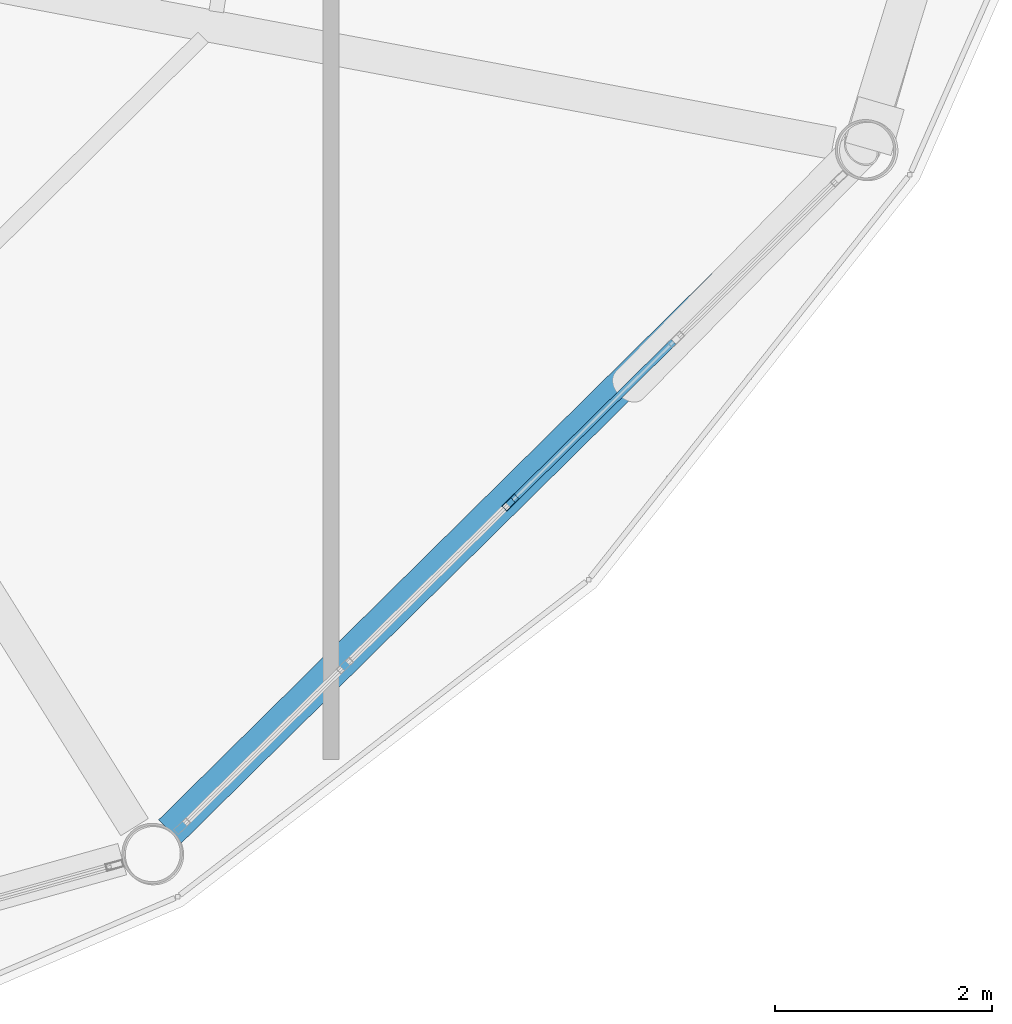
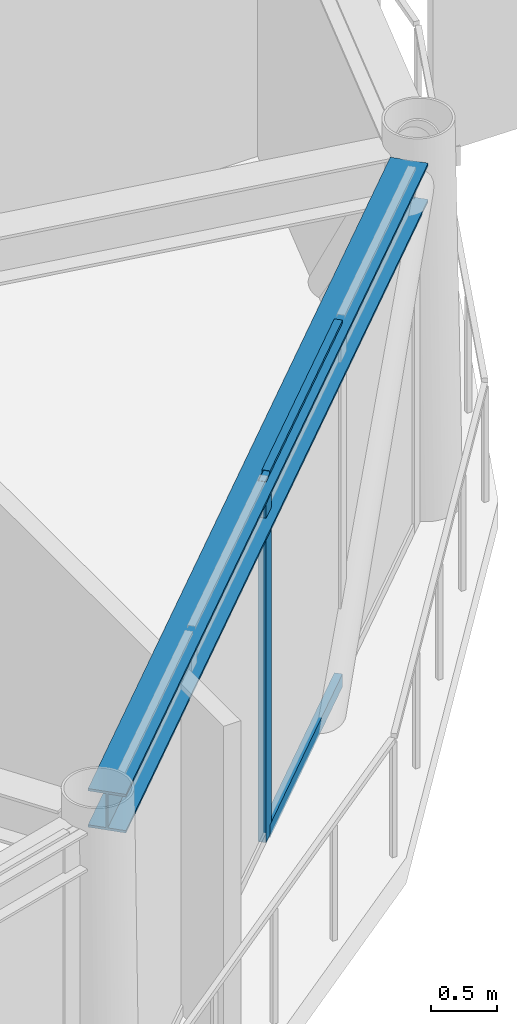
# One storey, part 9 of 26: 3 members, 1 beam, 1 element without a shape of its own.
"""IFC4 building model written with IfcOpenShell, lengths in metres."""

from ifc_helpers import new_model, si_unit, direction, frame, origin, origin_2d, place, context, subcontext, project, spatial, hollow_rectangle, i_section, extrude, material, layer, layer_set, material_profile, profile_set, type_object, element, aggregate, save


model = new_model("IFC4")

# Units and contexts
model_context = context("Model", 3, precision=1e-05, world=origin(), true_north=direction((0.0, 1.0)))
body_context = subcontext(model_context, "Body", "Model", "MODEL_VIEW")
ifc_project = project(units=[si_unit("LENGTHUNIT", "METRE"), si_unit("AREAUNIT", "SQUARE_METRE"), si_unit("VOLUMEUNIT", "CUBIC_METRE"), si_unit("PLANEANGLEUNIT", "RADIAN"), si_unit("MASSUNIT", "GRAM", prefix="KILO")], contexts=[model_context])

# Site, building, storey
site_placement = place(None, origin())
site = spatial("IfcSite", under=ifc_project, at=site_placement, CompositionType="ELEMENT")
building_placement = place(site_placement, origin())
building = spatial("IfcBuilding", under=site, at=building_placement, Name="Varnakorn Sky Granary", CompositionType="ELEMENT")
storey_placement = place(building_placement, frame((0.0, 0.0, 267.0)))
storey = spatial("IfcBuildingStorey", under=building, at=storey_placement, Name="L68", CompositionType="ELEMENT", Elevation=267.0)

# Beam
ifc_material_1 = material(Name="Steel S355JR", Category="steel")
ifc_material_profile_1 = material_profile(ifc_material_1, i_section(OverallWidth=0.300048828125, OverallDepth=0.360107421875, WebThickness=0.012451171875, FlangeThickness=0.0224609375, at=origin_2d()), Name="HE 360 B")
ifc_profile_set_1 = profile_set([ifc_material_profile_1], Name="Steel S355JR")
beam_type = type_object("IfcBeamType", Name="BM-SPD-Z5", PredefinedType="SPANDREL", material=ifc_profile_set_1)
beam_placement = place(storey_placement, frame((14.01513671875, -15.172119140625, 3.179931640625), z_axis=(0.71146702689, 0.702719481478, 0.0), x_axis=(-0.702719481478, 0.71146702689, 0.0)))
element("IfcBeam", 1, at=beam_placement, inside=storey, type_object=beam_type, Name="Perimeter Spandrel Ring Beam RB11 L68", PredefinedType="SPANDREL", context=body_context, shape_type="SweptSolid", body=[
    extrude(i_section(OverallWidth=0.300048828125, OverallDepth=0.360107421875, WebThickness=0.012451171875, FlangeThickness=0.0224609375, at=origin_2d()), origin(), (0.0, 0.0, 1.0), 8.707763671875),
])

# Curtain wall, members
ifc_material_2 = material(Name="Anodised Bronze Aluminium Alloy 6063-T6", Category="aluminium")
ifc_layer = layer(ifc_material_2, 0.159912109375, Name="Anodised Bronze Aluminium Alloy 6063-T6")
ifc_layer_set = layer_set([ifc_layer], Name="Anodised Bronze Aluminium Alloy 6063-T6")
curtain_wall_type = type_object("IfcCurtainWallType", Name="CW-OFF-1", PredefinedType="USERDEFINED", material=ifc_layer_set)
curtain_wall_placement = place(storey_placement, origin())
curtain_wall = element("IfcCurtainWall", 2, at=curtain_wall_placement, inside=storey, type_object=curtain_wall_type, Name="Unitised Curtain Wall CW6 CW-L68-B11", ObjectType="CURTAIN WALL", PredefinedType="USERDEFINED")
ifc_material_profile_2 = material_profile(ifc_material_2, hollow_rectangle(XDim=0.06494140625, YDim=0.159912109375, WallThickness=0.00341796875, at=origin_2d()), Name="ALU MULL 65x160")
ifc_profile_set_2 = profile_set([ifc_material_profile_2], Name="Anodised Bronze Aluminium Alloy 6063-T6")
member_type_1 = type_object("IfcMemberType", Name="CW-OFF-1-MULL", PredefinedType="MULLION", material=ifc_profile_set_2)
member_1_placement = place(storey_placement, frame((17.158447265625, -12.1357421875, 0.0), z_axis=(0.0, 0.0, 1.0), x_axis=(0.702091405728, -0.71208683319, 0.0)))
member_1 = element("IfcMember", 3, at=member_1_placement, type_object=member_type_1, Name="CW6 mullion 3", PredefinedType="MULLION", context=body_context, shape_type="SweptSolid", body=[
    extrude(hollow_rectangle(XDim=0.06494140625, YDim=0.159912109375, WallThickness=0.00341796875, at=origin_2d()), origin(), (0.0, 0.0, 1.0), 3.360107421875),
])
ifc_material_profile_3 = material_profile(ifc_material_2, hollow_rectangle(XDim=0.06494140625, YDim=0.1201171875, WallThickness=0.00341796875, at=origin_2d()), Name="ALU TRAN 65x120")
ifc_profile_set_3 = profile_set([ifc_material_profile_3], Name="Anodised Bronze Aluminium Alloy 6063-T6")
member_type_2 = type_object("IfcMemberType", Name="CW-OFF-1-TRAN", PredefinedType="USERDEFINED", material=ifc_profile_set_3)
member_2_placement = place(storey_placement, frame((18.66357421875, -10.65185546875, 0.032470703125), z_axis=(-0.712074901706, -0.702103506871, 0.0), x_axis=(0.702103506871, -0.712074901706, 0.0)))
member_2 = element("IfcMember", 4, at=member_2_placement, type_object=member_type_2, Name="CW6 transom 2.1", ObjectType="TRANSOM", PredefinedType="USERDEFINED", context=body_context, shape_type="SweptSolid", body=[
    extrude(hollow_rectangle(XDim=0.06494140625, YDim=0.1201171875, WallThickness=0.00341796875, at=origin_2d()), origin(), (0.0, 0.0, 1.0), 2.0810546875),
])
member_3_placement = place(storey_placement, frame((18.66357421875, -10.65185546875, 3.327392578125), z_axis=(-0.712074901706, -0.702103506871, 0.0), x_axis=(0.702103506871, -0.712074901706, 0.0)))
member_3 = element("IfcMember", 5, at=member_3_placement, type_object=member_type_2, Name="CW6 transom 2.2", ObjectType="TRANSOM", PredefinedType="USERDEFINED", context=body_context, shape_type="SweptSolid", body=[
    extrude(hollow_rectangle(XDim=0.06494140625, YDim=0.1201171875, WallThickness=0.00341796875, at=origin_2d()), origin(), (0.0, 0.0, 1.0), 2.0810546875),
])
aggregate(curtain_wall, [member_1, member_2, member_3])

save(model, "model.ifc")
